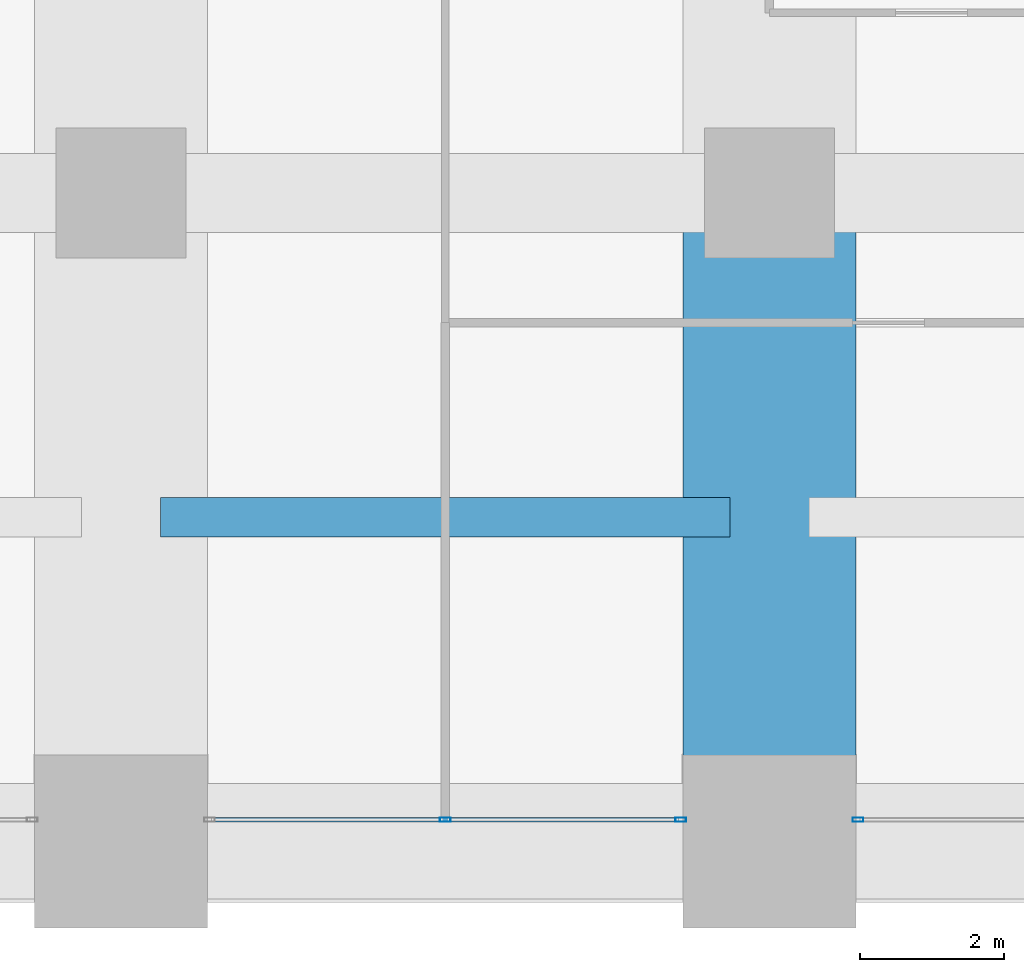
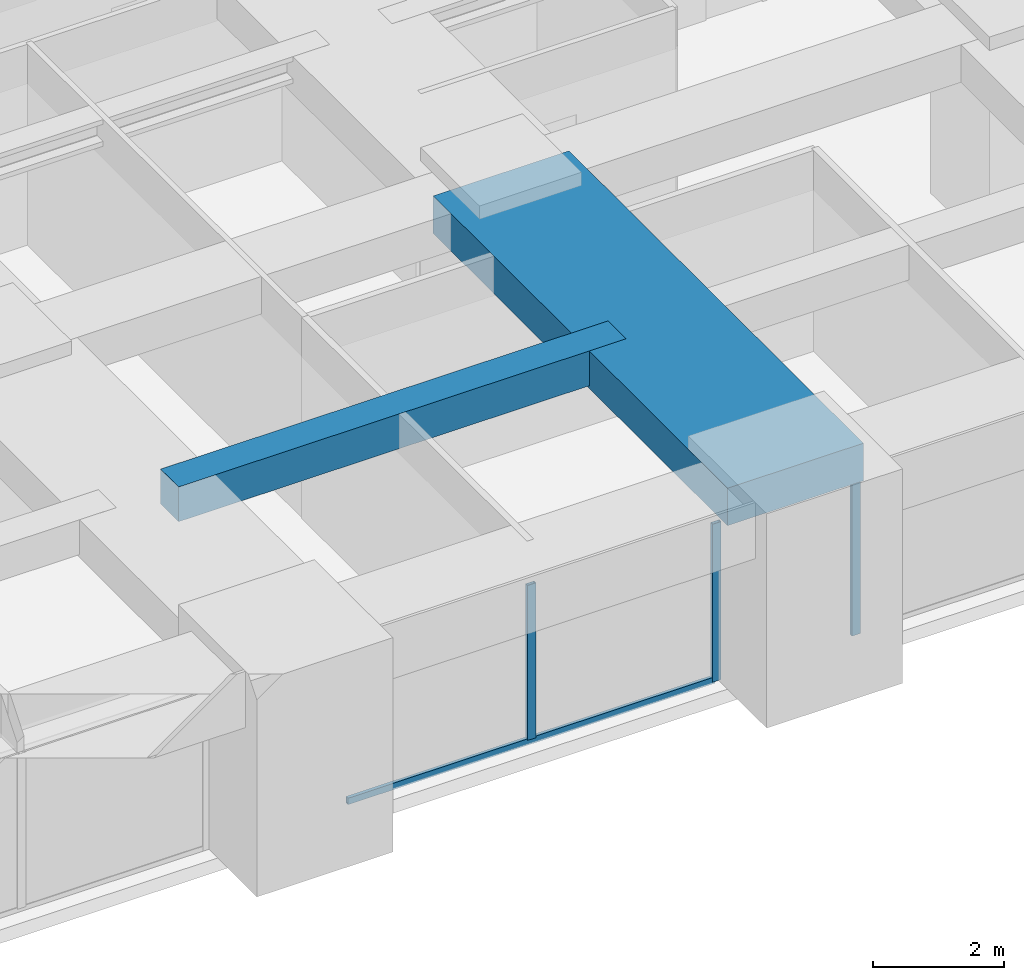
# One storey, part 13 of 42: 4 members, 2 beams, 2 elements without a shape of their own.
"""IFC4 building model written with IfcOpenShell, lengths in metres."""

from ifc_helpers import new_model, si_unit, direction, frame, origin, origin_2d, place, context, subcontext, project, spatial, rectangle, hollow_rectangle, extrude, material, material_profile, profile_set, type_object, element, aggregate, save


model = new_model("IFC4")

# Units and contexts
model_context = context("Model", 3, precision=1e-05, world=origin(), true_north=direction((0.0, 1.0)))
body_context = subcontext(model_context, "Body", "Model", "MODEL_VIEW")
ifc_project = project(units=[si_unit("LENGTHUNIT", "METRE"), si_unit("AREAUNIT", "SQUARE_METRE"), si_unit("VOLUMEUNIT", "CUBIC_METRE"), si_unit("PLANEANGLEUNIT", "RADIAN"), si_unit("MASSUNIT", "GRAM", prefix="KILO")], contexts=[model_context])

# Site, building, storey
site_placement = place(None, origin())
site = spatial("IfcSite", under=ifc_project, at=site_placement, CompositionType="ELEMENT")
building_placement = place(site_placement, origin())
building = spatial("IfcBuilding", under=site, at=building_placement, Name="Zorevar Civic Tower", CompositionType="ELEMENT")
storey_placement = place(building_placement, frame((0.0, 0.0, 149.0)))
storey = spatial("IfcBuildingStorey", under=building, at=storey_placement, Name="L36", CompositionType="ELEMENT", Elevation=149.0)

# Beams
ifc_material_1 = material(Name="Concrete C50/60", Category="concrete")
ifc_material_profile_1 = material_profile(ifc_material_1, rectangle(XDim=2.39990234375, YDim=0.699951171875, at=origin_2d()), Name="RC 2400x700")
ifc_profile_set_1 = profile_set([ifc_material_profile_1], Name="Concrete C50/60")
beam_type_1 = type_object("IfcBeamType", Name="Beam RC 2400x700", PredefinedType="BEAM", material=ifc_profile_set_1)
beam_1_placement = place(storey_placement, frame((36.0, 0.0, 3.39990234375), z_axis=(0.0, 1.0, 0.0), x_axis=(-1.0, 0.0, 0.0)))
element("IfcBeam", 1, at=beam_1_placement, inside=storey, type_object=beam_type_1, Name="Girder L37", PredefinedType="BEAM", context=body_context, shape_type="SweptSolid", body=[
    extrude(rectangle(XDim=2.39990234375, YDim=0.699951171875, at=origin_2d()), origin(), (0.0, 0.0, 1.0), 9.0),
])
ifc_material_2 = material(Name="Concrete C50/60", Category="concrete")
ifc_material_profile_2 = material_profile(ifc_material_2, rectangle(XDim=0.550048828125, YDim=0.64990234375, at=origin_2d()), Name="RC 550x650")
ifc_profile_set_2 = profile_set([ifc_material_profile_2], Name="Concrete C50/60")
beam_type_2 = type_object("IfcBeamType", Name="Beam RC 550x650", PredefinedType="BEAM", material=ifc_profile_set_2)
beam_2_placement = place(storey_placement, frame((27.550048828125, 4.5, 3.425048828125), z_axis=(1.0, 0.0, 0.0), x_axis=(0.0, 1.0, 0.0)))
element("IfcBeam", 2, at=beam_2_placement, inside=storey, type_object=beam_type_2, Name="Secondary beam L37", PredefinedType="BEAM", context=body_context, shape_type="SweptSolid", body=[
    extrude(rectangle(XDim=0.550048828125, YDim=0.64990234375, at=origin_2d()), origin(), (0.0, 0.0, 1.0), 7.89990234375),
])

# Curtain wall, members
ifc_material_3 = material(Name="Dark grey solar-control glass in black aluminium frame", Category="aluminium")
curtain_wall_type = type_object("IfcCurtainWallType", Name="Curtain wall CW3 mid zone", PredefinedType="NOTDEFINED", material=ifc_material_3)
curtain_wall_1_placement = place(storey_placement, origin())
curtain_wall_1 = element("IfcCurtainWall", 3, at=curtain_wall_1_placement, inside=storey, type_object=curtain_wall_type, Name="CW3 L36", PredefinedType="NOTDEFINED")
ifc_material_4 = material(Name="Aluminium, black anodised", Category="aluminium")
ifc_material_profile_3 = material_profile(ifc_material_4, hollow_rectangle(XDim=0.06005859375, YDim=0.14990234375, WallThickness=0.00390625, at=origin_2d()), Name="AL 150x60x4")
ifc_profile_set_3 = profile_set([ifc_material_profile_3], Name="Aluminium, black anodised")
member_type_1 = type_object("IfcMemberType", Name="CW3 mullion AL 150x60x4", PredefinedType="MULLION", material=ifc_profile_set_3)
member_1_placement = place(storey_placement, frame((31.5, 0.300048828125, 0.06005859375), z_axis=(0.0, 0.0, 1.0), x_axis=(0.0, 1.0, 0.0)))
member_1 = element("IfcMember", 4, at=member_1_placement, type_object=member_type_1, Name="CW3 mullion 2", PredefinedType="MULLION", context=body_context, shape_type="SweptSolid", body=[
    extrude(hollow_rectangle(XDim=0.06005859375, YDim=0.14990234375, WallThickness=0.00390625, at=origin_2d()), origin(), (0.0, 0.0, 1.0), 2.889892578125),
])
member_2_placement = place(storey_placement, frame((34.77001953125, 0.300048828125, 0.0), z_axis=(0.0, 0.0, 1.0), x_axis=(0.0, 1.0, 0.0)))
member_2 = element("IfcMember", 5, at=member_2_placement, type_object=member_type_1, Name="CW3 mullion 3", PredefinedType="MULLION", context=body_context, shape_type="SweptSolid", body=[
    extrude(hollow_rectangle(XDim=0.06005859375, YDim=0.14990234375, WallThickness=0.00390625, at=origin_2d()), origin(), (0.0, 0.0, 1.0), 2.949951171875),
])

# Curtain wall, member
curtain_wall_2_placement = place(storey_placement, origin())
curtain_wall_2 = element("IfcCurtainWall", 6, at=curtain_wall_2_placement, inside=storey, type_object=curtain_wall_type, Name="CW3 L36", PredefinedType="NOTDEFINED")
member_3_placement = place(storey_placement, frame((37.22998046875, 0.300048828125, 0.0), z_axis=(0.0, 0.0, 1.0), x_axis=(0.0, 1.0, 0.0)))
member_3 = element("IfcMember", 7, at=member_3_placement, type_object=member_type_1, Name="CW3 mullion 1", PredefinedType="MULLION", context=body_context, shape_type="SweptSolid", body=[
    extrude(hollow_rectangle(XDim=0.06005859375, YDim=0.14990234375, WallThickness=0.00390625, at=origin_2d()), origin(), (0.0, 0.0, 1.0), 2.949951171875),
])
aggregate(curtain_wall_2, [member_3])

# Member
ifc_material_5 = material(Name="Aluminium, black anodised", Category="aluminium")
ifc_material_profile_4 = material_profile(ifc_material_5, hollow_rectangle(XDim=0.06005859375, YDim=0.1201171875, WallThickness=0.0029296875, at=origin_2d()), Name="AL 120x60x3")
ifc_profile_set_4 = profile_set([ifc_material_profile_4], Name="Aluminium, black anodised")
member_type_2 = type_object("IfcMemberType", Name="CW3 transom AL 120x60x3", PredefinedType="USERDEFINED", material=ifc_profile_set_4)
member_4_placement = place(storey_placement, frame((28.260009765625, 0.300048828125, 0.030029296875), z_axis=(1.0, 0.0, 0.0), x_axis=(0.0, 1.0, 0.0)))
member_4 = element("IfcMember", 8, at=member_4_placement, type_object=member_type_2, Name="CW3 sill transom", ObjectType="TRANSOM", PredefinedType="USERDEFINED", context=body_context, shape_type="SweptSolid", body=[
    extrude(hollow_rectangle(XDim=0.06005859375, YDim=0.1201171875, WallThickness=0.0029296875, at=origin_2d()), origin(), (0.0, 0.0, 1.0), 6.47998046875),
])

aggregate(curtain_wall_1, [member_1, member_2, member_4])

save(model, "model.ifc")
